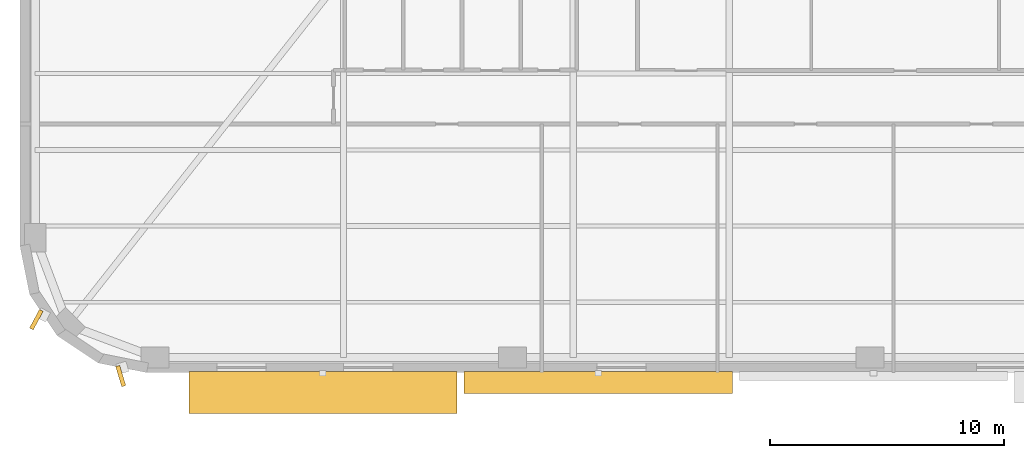
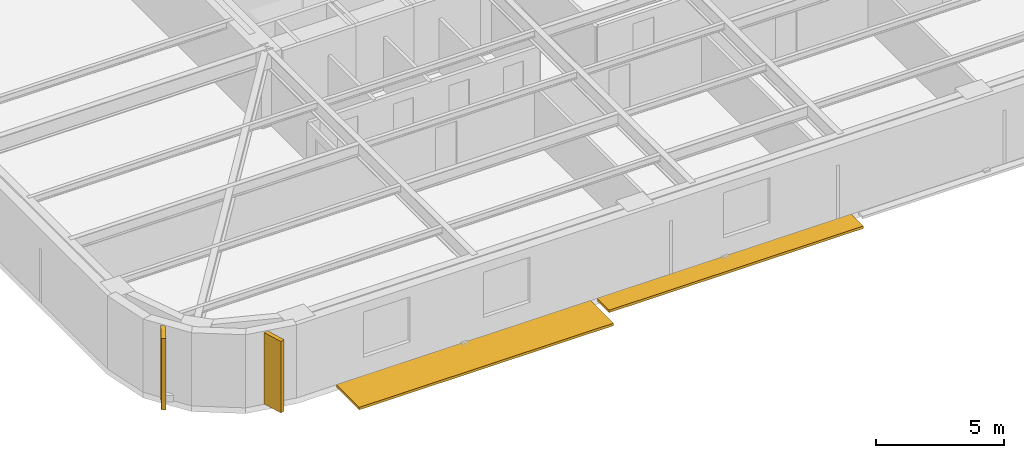
# One storey, part 9 of 15: 4 shading devices.
"""IFC4 building model written with IfcOpenShell, lengths in metres."""

import ifcopenshell
import ifcopenshell.guid

model = None  # the IFC model being written
_history = None  # IfcOwnerHistory: only IFC2X3 demands one
_inside = {}  # id of a spatial element -> (the spatial element, [elements in it])
_under = {}  # id of a project, library or spatial element -> (it, [spatial elements below it])
_declared = {}  # id of a project -> (the project, [libraries it declares])
_typed = {}  # id of a type object -> (the type object, [elements of that type])
_made_of = {}  # id of a material, layer set ... -> (it, [elements and type objects made of it])


def new_model(schema):
    """Start an empty IFC model of exactly this schema.

    Asked for "IFC4X3", IfcOpenShell would pick the latest addendum, in which some entities
    have other attributes; the version numbers below select the first issue.
    IFC2X3 requires an IfcOwnerHistory on every rooted entity: one is made here for all.
    """
    global model, _history
    if schema == "IFC4X3":
        model = ifcopenshell.file(schema_version=(4, 3, 0, 0))
    else:
        model = ifcopenshell.file(schema=schema)
    _inside.clear()
    _under.clear()
    _declared.clear()
    _typed.clear()
    _made_of.clear()
    _history = None
    if model.schema == "IFC2X3":
        org = make("IfcOrganization", Name="unknown")
        user = make(
            "IfcPersonAndOrganization",
            ThePerson=make("IfcPerson", FamilyName="unknown"),
            TheOrganization=org,
        )
        app = make(
            "IfcApplication",
            ApplicationDeveloper=org,
            Version="unknown",
            ApplicationFullName="unknown",
            ApplicationIdentifier="unknown",
        )
        _history = make(
            "IfcOwnerHistory",
            OwningUser=user,
            OwningApplication=app,
            ChangeAction="ADDED",
            CreationDate=0,
        )
    return model


def make(cls, **values):
    """One entity of the class cls with the attributes given. An attribute that is None is left unset."""
    return model.create_entity(
        cls, **{name: value for name, value in values.items() if value is not None}
    )


def rooted(cls, **values):
    """An entity with a GlobalId (a new one), such as an element, a storey or a relation."""
    return make(cls, GlobalId=ifcopenshell.guid.new(), OwnerHistory=_history, **values)


def si_unit(unit_type, name, prefix=None):
    """IfcSIUnit, for example si_unit("LENGTHUNIT", "METRE", prefix="MILLI")."""
    return make("IfcSIUnit", UnitType=unit_type, Prefix=prefix, Name=name)


def assignment(units):
    """IfcUnitAssignment: the units of a project."""
    return None if units is None else make("IfcUnitAssignment", Units=units)


def point(xyz):
    """IfcCartesianPoint."""
    return None if xyz is None else make("IfcCartesianPoint", Coordinates=xyz)


def direction(xyz):
    """IfcDirection."""
    return None if xyz is None else make("IfcDirection", DirectionRatios=xyz)


def frame(location, z_axis=None, x_axis=None):
    """IfcAxis2Placement3D, a coordinate frame: its origin and axes. An axis left out is left unset."""
    return make(
        "IfcAxis2Placement3D",
        Location=point(location),
        Axis=direction(z_axis),
        RefDirection=direction(x_axis),
    )


def frame_2d(location, x_axis=None):
    """IfcAxis2Placement2D, a coordinate frame in the plane: its origin and x axis."""
    return make(
        "IfcAxis2Placement2D", Location=point(location), RefDirection=direction(x_axis)
    )


def origin():
    """The frame at (0, 0, 0) with its axes left unset."""
    return frame((0.0, 0.0, 0.0))


def origin_2d():
    """The frame at (0, 0) in the plane with its x axis left unset."""
    return frame_2d((0.0, 0.0))


def place(relative_to, where):
    """IfcLocalPlacement: puts the frame where relative to a parent placement (None: the world)."""
    return make(
        "IfcLocalPlacement", PlacementRelTo=relative_to, RelativePlacement=where
    )


def context(
    kind, dimensions, precision=None, world=None, true_north=None, identifier=None
):
    """IfcGeometricRepresentationContext, for example the 3D "Model" context."""
    return make(
        "IfcGeometricRepresentationContext",
        ContextIdentifier=identifier,
        ContextType=kind,
        CoordinateSpaceDimension=dimensions,
        Precision=precision,
        WorldCoordinateSystem=world,
        TrueNorth=true_north,
    )


def subcontext(parent, identifier, kind, view, scale=None):
    """IfcGeometricRepresentationSubContext, for example "Body" below "Model"."""
    return make(
        "IfcGeometricRepresentationSubContext",
        ContextIdentifier=identifier,
        ContextType=kind,
        ParentContext=parent,
        TargetScale=scale,
        TargetView=view,
    )


def project(units=None, contexts=None):
    """IfcProject with its units and contexts."""
    return rooted(
        "IfcProject",
        Name="project",
        RepresentationContexts=contexts,
        UnitsInContext=assignment(units),
    )


def spatial(cls, under=None, at=None, **own):
    """A site, building, storey or space (cls), placed at a placement, below another one or the project."""
    s = rooted(cls, ObjectPlacement=at, **own)
    if under is not None:
        _under.setdefault(under.id(), (under, []))[1].append(s)
    return s


def profile(cls, at=None, kind="AREA", **sizes):
    """A parametric profile (cls). Its sizes go by their IFC names, for example OverallWidth=200.0."""
    return make(cls, ProfileType=kind, Position=at, **sizes)


def rectangle(**sizes):
    """IfcRectangleProfileDef."""
    return profile("IfcRectangleProfileDef", **sizes)


def extrude(swept, where, along, depth):
    """IfcExtrudedAreaSolid: the profile swept, set in the frame where, extruded along a direction by depth."""
    return make(
        "IfcExtrudedAreaSolid",
        SweptArea=swept,
        Position=where,
        ExtrudedDirection=direction(along),
        Depth=depth,
    )


def shape(context_of_items, identifier, shape_type, items):
    """IfcShapeRepresentation: the items that make up one representation, for example the "Body"."""
    return make(
        "IfcShapeRepresentation",
        ContextOfItems=context_of_items,
        RepresentationIdentifier=identifier,
        RepresentationType=shape_type,
        Items=items,
    )


def material(Name=None, Category=None):
    """IfcMaterial."""
    return make("IfcMaterial", Name=Name, Category=Category)


def made_of(thing, what):
    """Note that an element or type object is made of a material, layer set ...; save() writes the relation."""
    if what is not None:
        _made_of.setdefault(what.id(), (what, []))[1].append(thing)
    return thing


def type_object(cls, material=None, **own):
    """A type object (cls), such as IfcWallType, which elements share."""
    return made_of(rooted(cls, **own), material)


def element(
    cls,
    number,
    at=None,
    inside=None,
    cuts=None,
    type_object=None,
    material=None,
    context=None,
    identifier="Body",
    shape_type=None,
    held_by="IfcProductDefinitionShape",
    body=None,
    shapes=None,
    **own,
):
    """One element of the class cls, such as IfcWall. Its Tag is "e" and its number.

    at: its placement. inside: the storey or other place that contains it. cuts: it is an
    opening in that element (IfcRelVoidsElement). A single representation is given by context,
    identifier, shape_type and body (its items); several are given by shapes. held_by: the class
    of the entity that holds the representations. save() writes the other relations.
    """
    e = rooted(cls, Tag="e%d" % number, ObjectPlacement=at, **own)
    if body is not None:
        shapes = [shape(context, identifier, shape_type, body)]
    if shapes is not None:
        e.Representation = make(held_by, Representations=shapes)
    if inside is not None:
        _inside.setdefault(inside.id(), (inside, []))[1].append(e)
    if cuts is not None:
        rooted(
            "IfcRelVoidsElement", RelatingBuildingElement=cuts, RelatedOpeningElement=e
        )
    if type_object is not None:
        _typed.setdefault(type_object.id(), (type_object, []))[1].append(e)
    return made_of(e, material)


def aggregate(whole, parts):
    """IfcRelAggregates: a whole, such as a stair, and the parts it consists of."""
    return rooted("IfcRelAggregates", RelatingObject=whole, RelatedObjects=parts)


def save(model, path):
    """Write the relations noted so far, then the file.

    IfcRelAggregates (storeys below a building ...), IfcRelContainedInSpatialStructure (elements
    in a storey), IfcRelDefinesByType, IfcRelAssociatesMaterial and IfcRelDeclares: one each for
    every whole, place, type object, material and project.
    """
    for whole, parts in _under.values():
        aggregate(whole, parts)
    for where, things in _inside.values():
        rooted(
            "IfcRelContainedInSpatialStructure",
            RelatedElements=things,
            RelatingStructure=where,
        )
    for kind, things in _typed.values():
        rooted("IfcRelDefinesByType", RelatedObjects=things, RelatingType=kind)
    for what, things in _made_of.values():
        rooted("IfcRelAssociatesMaterial", RelatedObjects=things, RelatingMaterial=what)
    for by, libraries in _declared.values():
        rooted("IfcRelDeclares", RelatingContext=by, RelatedDefinitions=libraries)
    model.write(path)


model = new_model("IFC4")

# Units and contexts
model_context = context("Model", 3, precision=1e-05, world=origin(), true_north=direction((0.0, 1.0)))
body_context = subcontext(model_context, "Body", "Model", "MODEL_VIEW")
ifc_project = project(units=[si_unit("LENGTHUNIT", "METRE"), si_unit("AREAUNIT", "SQUARE_METRE"), si_unit("VOLUMEUNIT", "CUBIC_METRE"), si_unit("PLANEANGLEUNIT", "RADIAN"), si_unit("MASSUNIT", "GRAM", prefix="KILO")], contexts=[model_context])

# Site, building, storey
site_placement = place(None, origin())
site = spatial("IfcSite", under=ifc_project, at=site_placement, CompositionType="ELEMENT")
building_placement = place(site_placement, origin())
building = spatial("IfcBuilding", under=site, at=building_placement, Name="Kolvaren Arena Tower", CompositionType="ELEMENT")
storey_placement = place(building_placement, frame((0.0, 0.0, 72.0)))
storey = spatial("IfcBuildingStorey", under=building, at=storey_placement, Name="L15", CompositionType="ELEMENT", Elevation=72.0)

# Shading devices
ifc_material_1 = material(Name="Precast architectural concrete C50/60 rib fin", Category="concrete")
shading_device_type_1 = type_object("IfcShadingDeviceType", Name="SHAD-FIN-28", PredefinedType="USERDEFINED", material=ifc_material_1)
for number, where, z_axis, x_axis, name in (
    (1, (1.447021484375, 4.757568359375, 0.02001953125), (0.0, 0.0, 1.0), (-0.473348878368, -0.880875041846, 0.0), "Precast 28-Deg Corner Rib Fin (L15)"),
    (2, (5.04638671875, 2.3525390625, 0.02001953125), (0.0, 0.0, 1.0), (0.288174541455, -0.957577899524, 0.0), "Precast 28-Deg Corner Rib Fin (L15)"),
):
    element("IfcShadingDevice", number, at=place(storey_placement, frame(where, z_axis=z_axis, x_axis=x_axis)), inside=storey, type_object=shading_device_type_1, Name=name, ObjectType="FIN", PredefinedType="USERDEFINED", context=body_context, shape_type="SweptSolid", body=[
        extrude(rectangle(XDim=0.89990234375, YDim=0.179931640625, at=origin_2d()), origin(), (0.0, 0.0, 1.0), 3.39990234375),
    ])
ifc_material_2 = material(Name="Architectural precast GFRC and anodised aluminium sunshade", Category="concrete")
shading_device_type_2 = type_object("IfcShadingDeviceType", Name="SHAD-SINE-A", PredefinedType="USERDEFINED", material=ifc_material_2)
shading_device_1_placement = place(storey_placement, frame((25.409912109375, 2.07470703125, -0.14013671875), z_axis=(0.0, 0.0, 1.0), x_axis=(-1.0, 0.0, 0.0)))
element("IfcShadingDevice", 3, at=shading_device_1_placement, inside=storey, type_object=shading_device_type_2, Name="Sinusoidal Slab-Edge Sunshade Louvre (L15)", ObjectType="LOUVRE", PredefinedType="USERDEFINED", context=body_context, shape_type="SweptSolid", body=[
    extrude(rectangle(XDim=11.43994140625, YDim=0.950439453125, at=origin_2d()), origin(), (0.0, 0.0, 1.0), 0.1201171875),
])
shading_device_type_3 = type_object("IfcShadingDeviceType", Name="SHAD-SINE-B", PredefinedType="JALOUSIE", material=ifc_material_2)
shading_device_2_placement = place(storey_placement, frame((13.669921875, 1.65087890625, -0.14013671875), z_axis=(0.0, 0.0, 1.0), x_axis=(-1.0, 0.0, 0.0)))
element("IfcShadingDevice", 4, at=shading_device_2_placement, inside=storey, type_object=shading_device_type_3, Name="Sinusoidal Slab-Edge Sunshade Louvre (L15)", PredefinedType="JALOUSIE", context=body_context, shape_type="SweptSolid", body=[
    extrude(rectangle(XDim=11.43994140625, YDim=1.798095703125, at=origin_2d()), origin(), (0.0, 0.0, 1.0), 0.1201171875),
])

save(model, "model.ifc")
